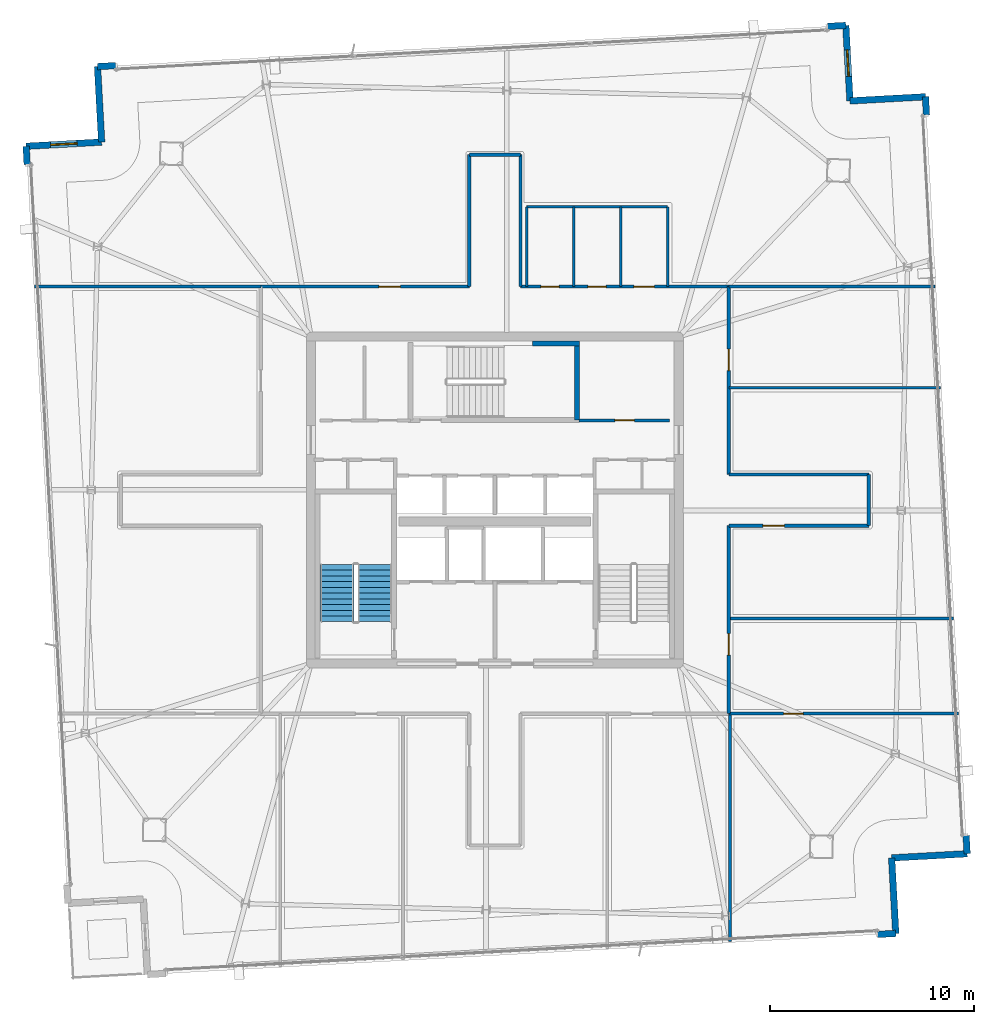
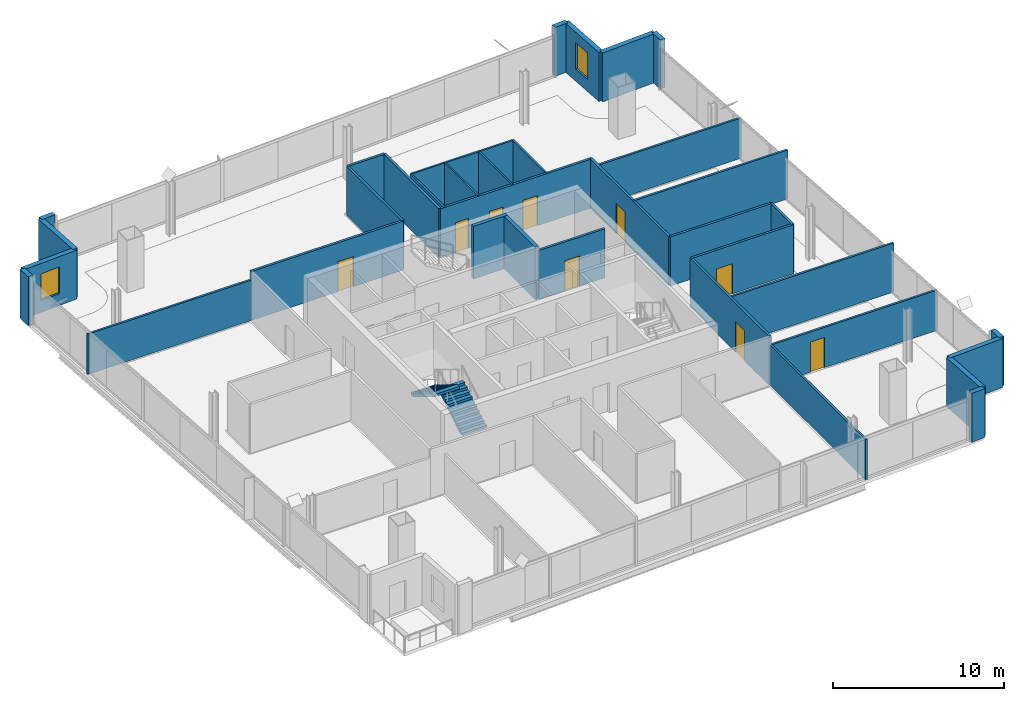
# One storey, part 19 of 23: 36 walls, 9 doors, 2 stair flights, 2 windows, 11 openings, 1 element without a shape of its own.
"""IFC4 building model written with IfcOpenShell, lengths in metres."""

from ifc_helpers import new_model, si_unit, direction, frame, frame_2d, origin, place, context, subcontext, project, spatial, polyline, rectangle, outline, extrude, material, layer, layer_set, type_object, element, fill, aggregate, save


model = new_model("IFC4")

# Units and contexts
model_context = context("Model", 3, precision=1e-05, world=origin(), true_north=direction((0.0, 1.0)))
body_context = subcontext(model_context, "Body", "Model", "MODEL_VIEW")
ifc_project = project(units=[si_unit("LENGTHUNIT", "METRE"), si_unit("AREAUNIT", "SQUARE_METRE"), si_unit("VOLUMEUNIT", "CUBIC_METRE"), si_unit("PLANEANGLEUNIT", "RADIAN"), si_unit("MASSUNIT", "GRAM", prefix="KILO")], contexts=[model_context])

# Site, building, storey
site_placement = place(None, origin())
site = spatial("IfcSite", under=ifc_project, at=site_placement, CompositionType="ELEMENT")
building_placement = place(site_placement, origin())
building = spatial("IfcBuilding", under=site, at=building_placement, Name="Haldenkirk Collegiate Tower", CompositionType="ELEMENT")
storey_placement = place(building_placement, frame((0.0, 0.0, 340.199951171875)))
storey = spatial("IfcBuildingStorey", under=building, at=storey_placement, Name="L86", CompositionType="ELEMENT", Elevation=340.199951171875)

# Walls
ifc_material_1 = material(Name="Precast concrete f'c 40 MPa", Category="concrete")
ifc_layer_1 = layer(ifc_material_1, 0.320068359375)
ifc_layer_set_1 = layer_set([ifc_layer_1], Name="Precast concrete f'c 40 MPa")
wall_type_1 = type_object("IfcWallType", Name="WL-EXT-TWR-320", PredefinedType="STANDARD", material=ifc_layer_set_1)
wall_1_placement = place(storey_placement, frame((57.072265625, 45.73779296875, 0.0), z_axis=(0.0, 0.0, 1.0), x_axis=(0.054793950548, -0.998497683013, 0.0)))
element("IfcWall", 1, at=wall_1_placement, inside=storey, type_object=wall_type_1, Name="L86 precast corner pier SL", PredefinedType="STANDARD", context=body_context, shape_type="SweptSolid", body=[
    extrude(rectangle(XDim=0.900146484375, YDim=0.320068359375, at=frame_2d((0.4501953125, 0.0))), origin(), (0.0, 0.0, 1.0), 3.489990234375),
])
wall_2_placement = place(storey_placement, frame((59.061279296875, 9.59228515625, 0.0), z_axis=(0.0, 0.0, 1.0), x_axis=(0.055079305034, -0.99848198289, 0.0)))
element("IfcWall", 2, at=wall_2_placement, inside=storey, type_object=wall_type_1, Name="L86 precast corner pier SR", PredefinedType="STANDARD", context=body_context, shape_type="SweptSolid", body=[
    extrude(rectangle(XDim=0.89990234375, YDim=0.320068359375, at=frame_2d((0.449951171875, 0.0))), origin(), (0.0, 0.0, 1.0), 3.489990234375),
])
wall_3_placement = place(storey_placement, frame((53.377685546875, 45.534423828125, 0.0), z_axis=(0.0, 0.0, 1.0), x_axis=(0.998488443508, 0.054962061286, 0.0)))
element("IfcWall", 3, at=wall_3_placement, inside=storey, type_object=wall_type_1, Name="L86 bronze precast notch wall 02", PredefinedType="STANDARD", context=body_context, shape_type="SweptSolid", body=[
    extrude(rectangle(XDim=3.7001953125, YDim=0.320068359375, at=frame_2d((1.85009765625, 0.0))), origin(), (0.0, 0.0, 1.0), 3.489990234375),
])

# Wall, opening, window
wall_4_placement = place(storey_placement, frame((53.174560546875, 49.228759765625, 0.0), z_axis=(0.0, 0.0, 1.0), x_axis=(0.054899896273, -0.998491863457, 0.0)))
wall_4 = element("IfcWall", 4, at=wall_4_placement, inside=storey, type_object=wall_type_1, Name="L86 bronze precast notch wall 03", PredefinedType="STANDARD", context=body_context, shape_type="SweptSolid", body=[
    extrude(rectangle(XDim=3.699951171875, YDim=0.320068359375, at=frame_2d((1.85009765625, 0.0))), origin(), (0.0, 0.0, 1.0), 3.489990234375),
])
opening_1_placement = place(wall_4_placement, frame((1.199951171875, 0.0, 0.85009765625)))
opening_1 = element("IfcOpeningElement", 5, at=opening_1_placement, cuts=wall_4, Name="Opening W-08", PredefinedType="OPENING", context=body_context, shape_type="SweptSolid", body=[
    extrude(rectangle(XDim=1.300048828125, YDim=1.89990234375, at=frame_2d((0.64990234375, 0.949951171875))), frame((0.0, 0.169921875, 0.0), z_axis=(0.0, -1.0, 0.0), x_axis=(1.0, 0.0, 0.0)), (0.0, 0.0, 1.0), 0.340087890625),
])
ifc_material_2 = material(Name="Low-E argon triple insulating glass", Category="glass")
ifc_layer_2 = layer(ifc_material_2, 0.090087890625)
ifc_layer_set_2 = layer_set([ifc_layer_2], Name="Low-E argon triple insulating glass")
window_type = type_object("IfcWindowType", Name="WN-Z6-1300X1900", PartitioningType="SINGLE_PANEL", PredefinedType="WINDOW", material=ifc_layer_set_2)
window_1_placement = place(opening_1_placement, origin())
window_1 = element("IfcWindow", 6, at=window_1_placement, inside=storey, type_object=window_type, Name="L86 precast-frame academic window 2", OverallHeight=1.89990234375, OverallWidth=1.300048828125, PartitioningType="SINGLE_PANEL", PredefinedType="WINDOW", context=body_context, shape_type="SweptSolid", body=[
    extrude(rectangle(XDim=1.300048828125, YDim=1.89990234375, at=frame_2d((0.64990234375, 0.949951171875))), frame((0.0, 0.030029296875, 0.0), z_axis=(0.0, -1.0, 0.0), x_axis=(1.0, 0.0, 0.0)), (0.0, 0.0, 1.0), 0.06005859375),
])
fill(opening_1, window_1)

# Walls
for number, where, z_axis, x_axis, name in (
    (7, (16.554931640625, 47.21337890625, 0.0), (0.0, 0.0, 1.0), (0.998482805688, 0.055064387274, 0.0), "L86 precast corner pier EL"),
    (8, (52.27587890625, 49.17919921875, 0.0), (0.0, 0.0, 1.0), (0.998482805688, 0.055064387274, 0.0), "L86 precast corner pier ER"),
):
    element("IfcWall", number, at=place(storey_placement, frame(where, z_axis=z_axis, x_axis=x_axis)), inside=storey, type_object=wall_type_1, Name=name, PredefinedType="STANDARD", context=body_context, shape_type="SweptSolid", body=[
        extrude(rectangle(XDim=0.900146484375, YDim=0.320068359375, at=frame_2d((0.4501953125, 0.0))), origin(), (0.0, 0.0, 1.0), 3.489990234375),
    ])
wall_5_placement = place(storey_placement, frame((16.75830078125, 43.51904296875, 0.0), z_axis=(0.0, 0.0, 1.0), x_axis=(-0.054965682487, 0.998488244172, 0.0)))
element("IfcWall", 9, at=wall_5_placement, inside=storey, type_object=wall_type_1, Name="L86 bronze precast notch wall 05", PredefinedType="STANDARD", context=body_context, shape_type="SweptSolid", body=[
    extrude(rectangle(XDim=3.699951171875, YDim=0.320068359375, at=frame_2d((1.85009765625, 0.0))), origin(), (0.0, 0.0, 1.0), 3.489990234375),
])

# Wall, opening, window
wall_6_placement = place(storey_placement, frame((13.063720703125, 43.31591796875, 0.0), z_axis=(0.0, 0.0, 1.0), x_axis=(0.998492062317, 0.054896279379, 0.0)))
wall_6 = element("IfcWall", 10, at=wall_6_placement, inside=storey, type_object=wall_type_1, Name="L86 bronze precast notch wall 06", PredefinedType="STANDARD", context=body_context, shape_type="SweptSolid", body=[
    extrude(rectangle(XDim=3.7001953125, YDim=0.320068359375, at=frame_2d((1.85009765625, 0.0))), origin(), (0.0, 0.0, 1.0), 3.489990234375),
])
opening_2_placement = place(wall_6_placement, frame((1.199951171875, 0.0, 0.85009765625)))
opening_2 = element("IfcOpeningElement", 11, at=opening_2_placement, cuts=wall_6, Name="Opening W-08", PredefinedType="OPENING", context=body_context, shape_type="SweptSolid", body=[
    extrude(rectangle(XDim=1.300048828125, YDim=1.89990234375, at=frame_2d((0.64990234375, 0.949951171875))), frame((0.0, 0.169921875, 0.0), z_axis=(0.0, -1.0, 0.0), x_axis=(1.0, 0.0, 0.0)), (0.0, 0.0, 1.0), 0.340087890625),
])
window_2_placement = place(opening_2_placement, origin())
window_2 = element("IfcWindow", 12, at=window_2_placement, inside=storey, type_object=window_type, Name="L86 precast-frame academic window 5", OverallHeight=1.89990234375, OverallWidth=1.300048828125, PartitioningType="SINGLE_PANEL", PredefinedType="WINDOW", context=body_context, shape_type="SweptSolid", body=[
    extrude(rectangle(XDim=1.300048828125, YDim=1.89990234375, at=frame_2d((0.64990234375, 0.949951171875))), frame((0.0, 0.030029296875, 0.0), z_axis=(0.0, -1.0, 0.0), x_axis=(1.0, 0.0, 0.0)), (0.0, 0.0, 1.0), 0.06005859375),
])
fill(opening_2, window_2)

# Walls
for number, where, z_axis, x_axis, name in (
    (13, (13.11328125, 42.417236328125, 0.0), (0.0, 0.0, 1.0), (-0.055064387274, 0.998482805688, 0.0), "L86 precast corner pier NR"),
    (14, (55.619873046875, 4.796142578125, 0.0), (0.0, 0.0, 1.0), (-0.998482805688, -0.055064387274, 0.0), "L86 precast corner pier WL"),
):
    element("IfcWall", number, at=place(storey_placement, frame(where, z_axis=z_axis, x_axis=x_axis)), inside=storey, type_object=wall_type_1, Name=name, PredefinedType="STANDARD", context=body_context, shape_type="SweptSolid", body=[
        extrude(rectangle(XDim=0.900146484375, YDim=0.320068359375, at=frame_2d((0.4501953125, 0.0))), origin(), (0.0, 0.0, 1.0), 3.489990234375),
    ])
for number, where, z_axis, x_axis, name in (
    (15, (55.41650390625, 8.490478515625, 0.0), (0.0, 0.0, 1.0), (0.054965682487, -0.998488244172, 0.0), "L86 bronze precast notch wall 11"),
    (16, (59.11083984375, 8.69384765625, 0.0), (0.0, 0.0, 1.0), (-0.998488244172, -0.054965682487, 0.0), "L86 bronze precast notch wall 12"),
):
    element("IfcWall", number, at=place(storey_placement, frame(where, z_axis=z_axis, x_axis=x_axis)), inside=storey, type_object=wall_type_1, Name=name, PredefinedType="STANDARD", context=body_context, shape_type="SweptSolid", body=[
        extrude(rectangle(XDim=3.699951171875, YDim=0.320068359375, at=frame_2d((1.85009765625, 0.0))), origin(), (0.0, 0.0, 1.0), 3.489990234375),
    ])

# Wall, opening, door
ifc_material_3 = material(Name="Acoustic fire-rated gypsum partition", Category="concrete")
ifc_layer_3 = layer(ifc_material_3, 0.159912109375)
ifc_layer_set_3 = layer_set([ifc_layer_3], Name="Acoustic fire-rated gypsum partition")
wall_type_2 = type_object("IfcWallType", Name="WL-INT-CORR-160", PredefinedType="PARTITIONING", material=ifc_layer_set_3)
wall_7_placement = place(storey_placement, frame((40.1201171875, 29.89990234375, 0.0), z_axis=(0.0, 0.0, 1.0), x_axis=(1.0, 0.0, 0.0)))
wall_7 = element("IfcWall", 17, at=wall_7_placement, inside=storey, type_object=wall_type_2, Name="L86 interior partition IW-L86-PMS", PredefinedType="PARTITIONING", context=body_context, shape_type="SweptSolid", body=[
    extrude(rectangle(XDim=4.429931640625, YDim=0.159912109375, at=frame_2d((2.21484375, 0.0))), origin(), (0.0, 0.0, 1.0), 3.489990234375),
])
opening_3_placement = place(wall_7_placement, frame((1.7548828125, 0.0, 0.0)))
opening_3 = element("IfcOpeningElement", 18, at=opening_3_placement, cuts=wall_7, Name="Opening D-10", PredefinedType="OPENING", context=body_context, shape_type="SweptSolid", body=[
    extrude(rectangle(XDim=0.949951171875, YDim=2.14990234375, at=frame_2d((0.47509765625, 1.074951171875))), frame((0.0, 0.08984375, 0.0), z_axis=(0.0, -1.0, 0.0), x_axis=(1.0, 0.0, 0.0)), (0.0, 0.0, 1.0), 0.179931640625),
])
ifc_material_4 = material(Name="Solid-core architectural oak fire door", Category="wood")
ifc_layer_4 = layer(ifc_material_4, 0.06005859375)
ifc_layer_set_4 = layer_set([ifc_layer_4], Name="Solid-core architectural oak fire door")
door_type_1 = type_object("IfcDoorType", Name="DR-INT-FD60-950", OperationType="NOTDEFINED", PredefinedType="DOOR", material=ifc_layer_set_4)
door_1_placement = place(opening_3_placement, origin())
door_1 = element("IfcDoor", 19, at=door_1_placement, inside=storey, type_object=door_type_1, Name="L86 reference archive door", OperationType="SINGLE_SWING_LEFT", OverallHeight=2.14990234375, OverallWidth=0.949951171875, PredefinedType="DOOR", context=body_context, shape_type="SweptSolid", body=[
    extrude(rectangle(XDim=0.949951171875, YDim=2.14990234375, at=frame_2d((0.47509765625, 1.074951171875))), frame((0.0, 0.02490234375, 0.0), z_axis=(0.0, -1.0, 0.0), x_axis=(1.0, 0.0, 0.0)), (0.0, 0.0, 1.0), 0.050048828125),
])
fill(opening_3, door_1)

wall_8_placement = place(storey_placement, frame((24.5, 36.449951171875, 0.0), z_axis=(0.0, 0.0, 1.0), x_axis=(1.0, 0.0, 0.0)))
wall_8 = element("IfcWall", 20, at=wall_8_placement, inside=storey, type_object=wall_type_2, Name="L86 interior partition IW-L86-CN1", PredefinedType="PARTITIONING", context=body_context, shape_type="SweptSolid", body=[
    extrude(rectangle(XDim=10.25, YDim=0.159912109375, at=frame_2d((5.125, 0.0))), origin(), (0.0, 0.0, 1.0), 3.489990234375),
])
opening_4_placement = place(wall_8_placement, frame((5.830078125, 0.0, 0.0)))
opening_4 = element("IfcOpeningElement", 21, at=opening_4_placement, cuts=wall_8, Name="Opening D-09", PredefinedType="OPENING", context=body_context, shape_type="SweptSolid", body=[
    extrude(rectangle(XDim=1.050048828125, YDim=2.14990234375, at=frame_2d((0.52490234375, 1.074951171875))), frame((0.0, 0.08984375, 0.0), z_axis=(0.0, -1.0, 0.0), x_axis=(1.0, 0.0, 0.0)), (0.0, 0.0, 1.0), 0.179931640625),
])
ifc_layer_5 = layer(ifc_material_4, 0.06005859375)
ifc_layer_set_5 = layer_set([ifc_layer_5], Name="Solid-core architectural oak fire door")
door_type_2 = type_object("IfcDoorType", Name="DR-INT-FD60-1050", OperationType="NOTDEFINED", PredefinedType="DOOR", material=ifc_layer_set_5)
door_2_placement = place(opening_4_placement, origin())
door_2 = element("IfcDoor", 22, at=door_2_placement, inside=storey, type_object=door_type_2, Name="L86 Scholar Lounge 6 door", OperationType="SINGLE_SWING_RIGHT", OverallHeight=2.14990234375, OverallWidth=1.050048828125, PredefinedType="DOOR", context=body_context, shape_type="SweptSolid", body=[
    extrude(rectangle(XDim=1.050048828125, YDim=2.14990234375, at=frame_2d((0.52490234375, 1.074951171875))), frame((0.0, 0.02490234375, 0.0), z_axis=(0.0, -1.0, 0.0), x_axis=(1.0, 0.0, 0.0)), (0.0, 0.0, 1.0), 0.050048828125),
])
fill(opening_4, door_2)

# Wall, openings, doors
wall_9_placement = place(storey_placement, frame((37.25, 36.449951171875, 0.0), z_axis=(0.0, 0.0, 1.0), x_axis=(1.0, 0.0, 0.0)))
wall_9 = element("IfcWall", 23, at=wall_9_placement, inside=storey, type_object=wall_type_2, Name="L86 interior partition IW-L86-CN2", PredefinedType="PARTITIONING", context=body_context, shape_type="SweptSolid", body=[
    extrude(rectangle(XDim=10.25, YDim=0.159912109375, at=frame_2d((5.125, 0.0))), origin(), (0.0, 0.0, 1.0), 3.489990234375),
])
opening_5_placement = place(wall_9_placement, frame((1.0, 0.0, 0.0)))
opening_5 = element("IfcOpeningElement", 24, at=opening_5_placement, cuts=wall_9, Name="Opening D-13", PredefinedType="OPENING", context=body_context, shape_type="SweptSolid", body=[
    extrude(rectangle(XDim=0.89990234375, YDim=2.14990234375, at=frame_2d((0.449951171875, 1.074951171875))), frame((0.0, 0.08984375, 0.0), z_axis=(0.0, -1.0, 0.0), x_axis=(1.0, 0.0, 0.0)), (0.0, 0.0, 1.0), 0.179931640625),
])
opening_6_placement = place(wall_9_placement, frame((3.300048828125, 0.0, 0.0)))
opening_6 = element("IfcOpeningElement", 25, at=opening_6_placement, cuts=wall_9, Name="Opening D-13", PredefinedType="OPENING", context=body_context, shape_type="SweptSolid", body=[
    extrude(rectangle(XDim=0.89990234375, YDim=2.14990234375, at=frame_2d((0.449951171875, 1.074951171875))), frame((0.0, 0.08984375, 0.0), z_axis=(0.0, -1.0, 0.0), x_axis=(1.0, 0.0, 0.0)), (0.0, 0.0, 1.0), 0.179931640625),
])
opening_7_placement = place(wall_9_placement, frame((5.550048828125, 0.0, 0.0)))
opening_7 = element("IfcOpeningElement", 26, at=opening_7_placement, cuts=wall_9, Name="Opening D-14", PredefinedType="OPENING", context=body_context, shape_type="SweptSolid", body=[
    extrude(rectangle(XDim=1.0, YDim=2.14990234375, at=frame_2d((0.5, 1.074951171875))), frame((0.0, 0.08984375, 0.0), z_axis=(0.0, -1.0, 0.0), x_axis=(1.0, 0.0, 0.0)), (0.0, 0.0, 1.0), 0.179931640625),
])
ifc_layer_6 = layer(ifc_material_4, 0.06005859375)
ifc_layer_set_6 = layer_set([ifc_layer_6], Name="Solid-core architectural oak fire door")
door_type_3 = type_object("IfcDoorType", Name="DR-INT-ACC-1000", OperationType="NOTDEFINED", PredefinedType="DOOR", material=ifc_layer_set_6)
door_3_placement = place(opening_7_placement, origin())
door_3 = element("IfcDoor", 27, at=door_3_placement, inside=storey, type_object=door_type_3, Name="L86 Accessible WC door", OperationType="SINGLE_SWING_RIGHT", OverallHeight=2.14990234375, OverallWidth=1.0, PredefinedType="DOOR", context=body_context, shape_type="SweptSolid", body=[
    extrude(rectangle(XDim=1.0, YDim=2.14990234375, at=frame_2d((0.5, 1.074951171875))), frame((0.0, 0.02490234375, 0.0), z_axis=(0.0, -1.0, 0.0), x_axis=(1.0, 0.0, 0.0)), (0.0, 0.0, 1.0), 0.050048828125),
])
fill(opening_7, door_3)
ifc_layer_7 = layer(ifc_material_4, 0.06005859375)
ifc_layer_set_7 = layer_set([ifc_layer_7], Name="Solid-core architectural oak fire door")
door_type_4 = type_object("IfcDoorType", Name="DR-INT-STD-900", OperationType="NOTDEFINED", PredefinedType="DOOR", material=ifc_layer_set_7)
door_4_placement = place(opening_5_placement, origin())
door_4 = element("IfcDoor", 28, at=door_4_placement, inside=storey, type_object=door_type_4, Name="L86 Male WC door", OperationType="SINGLE_SWING_RIGHT", OverallHeight=2.14990234375, OverallWidth=0.89990234375, PredefinedType="DOOR", context=body_context, shape_type="SweptSolid", body=[
    extrude(rectangle(XDim=0.89990234375, YDim=2.14990234375, at=frame_2d((0.449951171875, 1.074951171875))), frame((0.0, 0.02490234375, 0.0), z_axis=(0.0, -1.0, 0.0), x_axis=(1.0, 0.0, 0.0)), (0.0, 0.0, 1.0), 0.050048828125),
])
fill(opening_5, door_4)
door_5_placement = place(opening_6_placement, origin())
door_5 = element("IfcDoor", 29, at=door_5_placement, inside=storey, type_object=door_type_4, Name="L86 Female WC door", OperationType="SINGLE_SWING_LEFT", OverallHeight=2.14990234375, OverallWidth=0.89990234375, PredefinedType="DOOR", context=body_context, shape_type="SweptSolid", body=[
    extrude(rectangle(XDim=0.89990234375, YDim=2.14990234375, at=frame_2d((0.449951171875, 1.074951171875))), frame((0.0, 0.02490234375, 0.0), z_axis=(0.0, -1.0, 0.0), x_axis=(1.0, 0.0, 0.0)), (0.0, 0.0, 1.0), 0.050048828125),
])
fill(opening_6, door_5)

# Wall, opening, door
wall_10_placement = place(storey_placement, frame((47.449951171875, 15.550048828125, 0.0), z_axis=(0.0, 0.0, 1.0), x_axis=(0.0, 1.0, 0.0)))
wall_10 = element("IfcWall", 30, at=wall_10_placement, inside=storey, type_object=wall_type_2, Name="L86 interior partition IW-L86-CE1", PredefinedType="PARTITIONING", context=body_context, shape_type="SweptSolid", body=[
    extrude(rectangle(XDim=9.199951171875, YDim=0.159912109375, at=frame_2d((4.60009765625, 0.0))), origin(), (0.0, 0.0, 1.0), 3.489990234375),
])
opening_8_placement = place(wall_10_placement, frame((2.863037109375, 0.0, 0.0)))
opening_8 = element("IfcOpeningElement", 31, at=opening_8_placement, cuts=wall_10, Name="Opening D-09", PredefinedType="OPENING", context=body_context, shape_type="SweptSolid", body=[
    extrude(rectangle(XDim=1.050048828125, YDim=2.14990234375, at=frame_2d((0.52490234375, 1.074951171875))), frame((0.0, 0.08984375, 0.0), z_axis=(0.0, -1.0, 0.0), x_axis=(1.0, 0.0, 0.0)), (0.0, 0.0, 1.0), 0.179931640625),
])
door_6_placement = place(opening_8_placement, origin())
door_6 = element("IfcDoor", 32, at=door_6_placement, inside=storey, type_object=door_type_2, Name="L86 Student Reading Lounge 8 door", OperationType="SINGLE_SWING_RIGHT", OverallHeight=2.14990234375, OverallWidth=1.050048828125, PredefinedType="DOOR", context=body_context, shape_type="SweptSolid", body=[
    extrude(rectangle(XDim=1.050048828125, YDim=2.14990234375, at=frame_2d((0.52490234375, 1.074951171875))), frame((0.0, 0.02490234375, 0.0), z_axis=(0.0, -1.0, 0.0), x_axis=(1.0, 0.0, 0.0)), (0.0, 0.0, 1.0), 0.050048828125),
])
fill(opening_8, door_6)

wall_11_placement = place(storey_placement, frame((47.449951171875, 27.25, 0.0), z_axis=(0.0, 0.0, 1.0), x_axis=(0.0, 1.0, 0.0)))
wall_11 = element("IfcWall", 33, at=wall_11_placement, inside=storey, type_object=wall_type_2, Name="L86 interior partition IW-L86-CE2", PredefinedType="PARTITIONING", context=body_context, shape_type="SweptSolid", body=[
    extrude(rectangle(XDim=9.199951171875, YDim=0.159912109375, at=frame_2d((4.60009765625, 0.0))), origin(), (0.0, 0.0, 1.0), 3.489990234375),
])
opening_9_placement = place(wall_11_placement, frame((5.0830078125, 0.0, 0.0)))
opening_9 = element("IfcOpeningElement", 34, at=opening_9_placement, cuts=wall_11, Name="Opening D-09", PredefinedType="OPENING", context=body_context, shape_type="SweptSolid", body=[
    extrude(rectangle(XDim=1.050048828125, YDim=2.14990234375, at=frame_2d((0.52490234375, 1.074951171875))), frame((0.0, 0.08984375, 0.0), z_axis=(0.0, -1.0, 0.0), x_axis=(1.0, 0.0, 0.0)), (0.0, 0.0, 1.0), 0.179931640625),
])
door_7_placement = place(opening_9_placement, origin())
door_7 = element("IfcDoor", 35, at=door_7_placement, inside=storey, type_object=door_type_2, Name="L86 Faculty Club Lounge 10 door", OperationType="SINGLE_SWING_RIGHT", OverallHeight=2.14990234375, OverallWidth=1.050048828125, PredefinedType="DOOR", context=body_context, shape_type="SweptSolid", body=[
    extrude(rectangle(XDim=1.050048828125, YDim=2.14990234375, at=frame_2d((0.52490234375, 1.074951171875))), frame((0.0, 0.02490234375, 0.0), z_axis=(0.0, -1.0, 0.0), x_axis=(1.0, 0.0, 0.0)), (0.0, 0.0, 1.0), 0.050048828125),
])
fill(opening_9, door_7)

# Walls
for number, where, z_axis, x_axis, name in (
    (36, (34.75, 36.449951171875, 0.0), (0.0, 0.0, 1.0), (0.0, 1.0, 0.0), "L86 interior partition IW-L86-NPW"),
    (37, (37.25, 36.449951171875, 0.0), (0.0, 0.0, 1.0), (0.0, 1.0, 0.0), "L86 interior partition IW-L86-NPE"),
):
    element("IfcWall", number, at=place(storey_placement, frame(where, z_axis=z_axis, x_axis=x_axis)), inside=storey, type_object=wall_type_2, Name=name, PredefinedType="PARTITIONING", context=body_context, shape_type="SweptSolid", body=[
        extrude(rectangle(XDim=6.449951171875, YDim=0.159912109375, at=frame_2d((3.22509765625, 0.0))), origin(), (0.0, 0.0, 1.0), 3.489990234375),
    ])
wall_12_placement = place(storey_placement, frame((34.75, 42.89990234375, 0.0), z_axis=(0.0, 0.0, 1.0), x_axis=(1.0, 0.0, 0.0)))
element("IfcWall", 38, at=wall_12_placement, inside=storey, type_object=wall_type_2, Name="L86 interior partition IW-L86-NPN", PredefinedType="PARTITIONING", context=body_context, shape_type="SweptSolid", body=[
    extrude(rectangle(XDim=2.5, YDim=0.159912109375, at=frame_2d((1.25, 0.0))), origin(), (0.0, 0.0, 1.0), 3.489990234375),
])

# Wall, opening, door
wall_13_placement = place(storey_placement, frame((47.449951171875, 24.75, 0.0), z_axis=(0.0, 0.0, 1.0), x_axis=(1.0, 0.0, 0.0)))
wall_13 = element("IfcWall", 39, at=wall_13_placement, inside=storey, type_object=wall_type_2, Name="L86 interior partition IW-L86-EPS", PredefinedType="PARTITIONING", context=body_context, shape_type="SweptSolid", body=[
    extrude(rectangle(XDim=6.85009765625, YDim=0.159912109375, at=frame_2d((3.425048828125, 0.0))), origin(), (0.0, 0.0, 1.0), 3.489990234375),
])
opening_10_placement = place(wall_13_placement, frame((1.6669921875, 0.0, 0.0)))
opening_10 = element("IfcOpeningElement", 40, at=opening_10_placement, cuts=wall_13, Name="Opening D-09", PredefinedType="OPENING", context=body_context, shape_type="SweptSolid", body=[
    extrude(rectangle(XDim=1.050048828125, YDim=2.14990234375, at=frame_2d((0.52490234375, 1.074951171875))), frame((0.0, 0.08984375, 0.0), z_axis=(0.0, -1.0, 0.0), x_axis=(1.0, 0.0, 0.0)), (0.0, 0.0, 1.0), 0.179931640625),
])
door_8_placement = place(opening_10_placement, origin())
door_8 = element("IfcDoor", 41, at=door_8_placement, inside=storey, type_object=door_type_2, Name="L86 Graduate Study Lounge 9 door", OperationType="SINGLE_SWING_LEFT", OverallHeight=2.14990234375, OverallWidth=1.050048828125, PredefinedType="DOOR", context=body_context, shape_type="SweptSolid", body=[
    extrude(rectangle(XDim=1.050048828125, YDim=2.14990234375, at=frame_2d((0.52490234375, 1.074951171875))), frame((0.0, 0.02490234375, 0.0), z_axis=(0.0, -1.0, 0.0), x_axis=(1.0, 0.0, 0.0)), (0.0, 0.0, 1.0), 0.050048828125),
])
fill(opening_10, door_8)

# Walls
wall_14_placement = place(storey_placement, frame((47.449951171875, 27.25, 0.0), z_axis=(0.0, 0.0, 1.0), x_axis=(1.0, 0.0, 0.0)))
element("IfcWall", 42, at=wall_14_placement, inside=storey, type_object=wall_type_2, Name="L86 interior partition IW-L86-EPN", PredefinedType="PARTITIONING", context=body_context, shape_type="SweptSolid", body=[
    extrude(rectangle(XDim=6.85009765625, YDim=0.159912109375, at=frame_2d((3.425048828125, 0.0))), origin(), (0.0, 0.0, 1.0), 3.489990234375),
])
wall_15_placement = place(storey_placement, frame((54.300048828125, 24.75, 0.0), z_axis=(0.0, 0.0, 1.0), x_axis=(0.0, 1.0, 0.0)))
element("IfcWall", 43, at=wall_15_placement, inside=storey, type_object=wall_type_2, Name="L86 interior partition IW-L86-EPE", PredefinedType="PARTITIONING", context=body_context, shape_type="SweptSolid", body=[
    extrude(rectangle(XDim=2.5, YDim=0.159912109375, at=frame_2d((1.25, 0.0))), origin(), (0.0, 0.0, 1.0), 3.489990234375),
])
ifc_layer_8 = layer(ifc_material_3, 0.139892578125)
ifc_layer_set_8 = layer_set([ifc_layer_8], Name="Acoustic fire-rated gypsum partition")
wall_type_3 = type_object("IfcWallType", Name="WL-INT-DIV-140", PredefinedType="PARTITIONING", material=ifc_layer_set_8)
wall_16_placement = place(storey_placement, frame((13.481689453125, 36.449951171875, 0.0), z_axis=(0.0, 0.0, 1.0), x_axis=(1.0, 0.0, 0.0)))
element("IfcWall", 44, at=wall_16_placement, inside=storey, type_object=wall_type_3, Name="L86 interior partition IW-L86-BWN", PredefinedType="PARTITIONING", context=body_context, shape_type="SweptSolid", body=[
    extrude(rectangle(XDim=11.068359375, YDim=0.139892578125, at=frame_2d((5.5341796875, 0.0))), origin(), (0.0, 0.0, 1.0), 2.8681640625),
])

# Wall, opening, door
wall_17_placement = place(storey_placement, frame((47.449951171875, 15.550048828125, 0.0), z_axis=(0.0, 0.0, 1.0), x_axis=(1.0, 0.0, 0.0)))
wall_17 = element("IfcWall", 45, at=wall_17_placement, inside=storey, type_object=wall_type_3, Name="L86 interior partition IW-L86-BES", PredefinedType="PARTITIONING", context=body_context, shape_type="SweptSolid", body=[
    extrude(rectangle(XDim=11.24365234375, YDim=0.139892578125, at=frame_2d((5.621826171875, 0.0))), origin(), (0.0, 0.0, 1.0), 2.8681640625),
])
opening_11_placement = place(wall_17_placement, frame((2.68505859375, 0.0, 0.0)))
opening_11 = element("IfcOpeningElement", 46, at=opening_11_placement, cuts=wall_17, Name="Opening D-12", PredefinedType="OPENING", context=body_context, shape_type="SweptSolid", body=[
    extrude(rectangle(XDim=0.949951171875, YDim=2.14990234375, at=frame_2d((0.47509765625, 1.074951171875))), frame((0.0, 0.079833984375, 0.0), z_axis=(0.0, -1.0, 0.0), x_axis=(1.0, 0.0, 0.0)), (0.0, 0.0, 1.0), 0.159912109375),
])
ifc_layer_9 = layer(ifc_material_4, 0.06005859375)
ifc_layer_set_9 = layer_set([ifc_layer_9], Name="Solid-core architectural oak fire door")
door_type_5 = type_object("IfcDoorType", Name="DR-INT-STD-950", OperationType="NOTDEFINED", PredefinedType="DOOR", material=ifc_layer_set_9)
door_9_placement = place(opening_11_placement, origin())
door_9 = element("IfcDoor", 47, at=door_9_placement, inside=storey, type_object=door_type_5, Name="L86 Periodical Reading Lounge 5 door", OperationType="SINGLE_SWING_LEFT", OverallHeight=2.14990234375, OverallWidth=0.949951171875, PredefinedType="DOOR", context=body_context, shape_type="SweptSolid", body=[
    extrude(rectangle(XDim=0.949951171875, YDim=2.14990234375, at=frame_2d((0.47509765625, 1.074951171875))), frame((0.0, 0.02490234375, 0.0), z_axis=(0.0, -1.0, 0.0), x_axis=(1.0, 0.0, 0.0)), (0.0, 0.0, 1.0), 0.050048828125),
])
fill(opening_11, door_9)

# Walls
wall_18_placement = place(storey_placement, frame((47.449951171875, 36.449951171875, 0.0), z_axis=(0.0, 0.0, 1.0), x_axis=(1.0, 0.0, 0.0)))
element("IfcWall", 48, at=wall_18_placement, inside=storey, type_object=wall_type_3, Name="L86 interior partition IW-L86-BEN", PredefinedType="PARTITIONING", context=body_context, shape_type="SweptSolid", body=[
    extrude(rectangle(XDim=10.09326171875, YDim=0.139892578125, at=frame_2d((5.046630859375, 0.0))), origin(), (0.0, 0.0, 1.0), 2.8681640625),
])
wall_19_placement = place(storey_placement, frame((47.5, 4.389404296875, 0.0), z_axis=(0.0, 0.0, 1.0), x_axis=(0.0, 1.0, 0.0)))
element("IfcWall", 49, at=wall_19_placement, inside=storey, type_object=wall_type_3, Name="L86 interior partition IW-L86-RS4", PredefinedType="PARTITIONING", context=body_context, shape_type="SweptSolid", body=[
    extrude(rectangle(XDim=11.16064453125, YDim=0.139892578125, at=frame_2d((5.580322265625, 0.0))), origin(), (0.0, 0.0, 1.0), 2.8681640625),
])
wall_20_placement = place(storey_placement, frame((47.449951171875, 20.199951171875, 0.0), z_axis=(0.0, 0.0, 1.0), x_axis=(1.0, 0.0, 0.0)))
element("IfcWall", 50, at=wall_20_placement, inside=storey, type_object=wall_type_3, Name="L86 interior partition IW-L86-RE1", PredefinedType="PARTITIONING", context=body_context, shape_type="SweptSolid", body=[
    extrude(rectangle(XDim=10.987548828125, YDim=0.139892578125, at=frame_2d((5.49365234375, 0.0))), origin(), (0.0, 0.0, 1.0), 3.489990234375),
])
wall_21_placement = place(storey_placement, frame((47.449951171875, 31.5, 0.0), z_axis=(0.0, 0.0, 1.0), x_axis=(1.0, 0.0, 0.0)))
element("IfcWall", 51, at=wall_21_placement, inside=storey, type_object=wall_type_3, Name="L86 interior partition IW-L86-RE2", PredefinedType="PARTITIONING", context=body_context, shape_type="SweptSolid", body=[
    extrude(rectangle(XDim=10.36572265625, YDim=0.139892578125, at=frame_2d((5.182861328125, 0.0))), origin(), (0.0, 0.0, 1.0), 3.489990234375),
])
ifc_layer_10 = layer(ifc_material_3, 0.1201171875)
ifc_layer_set_10 = layer_set([ifc_layer_10], Name="Acoustic fire-rated gypsum partition")
wall_type_4 = type_object("IfcWallType", Name="WL-INT-WET-120", PredefinedType="PARTITIONING", material=ifc_layer_set_10)
for number, where, z_axis, x_axis, name in (
    (52, (37.550048828125, 36.449951171875, 0.0), (0.0, 0.0, 1.0), (0.0, 1.0, 0.0), "L86 interior partition IW-L86-WCW"),
    (53, (39.85009765625, 36.449951171875, 0.0), (0.0, 0.0, 1.0), (0.0, 1.0, 0.0), "L86 interior partition IW-L86-WC1"),
    (54, (42.14990234375, 36.449951171875, 0.0), (0.0, 0.0, 1.0), (0.0, 1.0, 0.0), "L86 interior partition IW-L86-WC2"),
    (55, (44.449951171875, 36.449951171875, 0.0), (0.0, 0.0, 1.0), (0.0, 1.0, 0.0), "L86 interior partition IW-L86-WCE"),
):
    element("IfcWall", number, at=place(storey_placement, frame(where, z_axis=z_axis, x_axis=x_axis)), inside=storey, type_object=wall_type_4, Name=name, PredefinedType="PARTITIONING", context=body_context, shape_type="SweptSolid", body=[
        extrude(rectangle(XDim=3.900146484375, YDim=0.1201171875, at=frame_2d((1.9501953125, 0.0))), origin(), (0.0, 0.0, 1.0), 3.489990234375),
    ])
wall_22_placement = place(storey_placement, frame((37.550048828125, 40.35009765625, 0.0), z_axis=(0.0, 0.0, 1.0), x_axis=(1.0, 0.0, 0.0)))
element("IfcWall", 56, at=wall_22_placement, inside=storey, type_object=wall_type_4, Name="L86 interior partition IW-L86-WCB", PredefinedType="PARTITIONING", context=body_context, shape_type="SweptSolid", body=[
    extrude(rectangle(XDim=6.89990234375, YDim=0.1201171875, at=frame_2d((3.449951171875, 0.0))), origin(), (0.0, 0.0, 1.0), 3.489990234375),
])
ifc_material_5 = material(Name="Concrete f'c 55 MPa", Category="concrete")
ifc_layer_11 = layer(ifc_material_5, 0.239990234375)
ifc_layer_set_11 = layer_set([ifc_layer_11], Name="Concrete f'c 55 MPa")
wall_type_5 = type_object("IfcWallType", Name="WL-SHAFT-240", PredefinedType="SHEAR", material=ifc_layer_set_11)
wall_23_placement = place(storey_placement, frame((40.02001953125, 29.929931640625, 0.0), z_axis=(0.0, 0.0, 1.0), x_axis=(0.0, 1.0, 0.0)))
element("IfcWall", 57, at=wall_23_placement, inside=storey, type_object=wall_type_5, Name="L86 stair shaft shear wall SW-L86-ST3E", PredefinedType="SHEAR", context=body_context, shape_type="SweptSolid", body=[
    extrude(rectangle(XDim=3.85009765625, YDim=0.239990234375, at=frame_2d((1.925048828125, 0.0))), origin(), (0.0, 0.0, 1.0), 3.75),
])
wall_24_placement = place(storey_placement, frame((37.85009765625, 33.659912109375, 0.0), z_axis=(0.0, 0.0, 1.0), x_axis=(1.0, 0.0, 0.0)))
element("IfcWall", 58, at=wall_24_placement, inside=storey, type_object=wall_type_5, Name="L86 stair shaft shear wall SW-L86-ST3N", PredefinedType="SHEAR", context=body_context, shape_type="SweptSolid", body=[
    extrude(rectangle(XDim=2.289794921875, YDim=0.239990234375, at=frame_2d((1.14501953125, 0.0))), origin(), (0.0, 0.0, 1.0), 3.75),
])

# Stair, stair flights
ifc_material_6 = material(Name="Concrete f'c 40 MPa", Category="concrete")
stair_type = type_object("IfcStairType", Name="STR-DOGLEG-1650", PredefinedType="HALF_TURN_STAIR", material=ifc_material_6)
stair_placement = place(storey_placement, origin())
stair = element("IfcStair", 59, at=stair_placement, inside=storey, type_object=stair_type, Name="L86 Core Exit Stair ST-1", PredefinedType="HALF_TURN_STAIR")
stair_flight_type = type_object("IfcStairFlightType", Name="STF-FLIGHT-1650", PredefinedType="STRAIGHT", material=ifc_material_6)
stair_flight_1_placement = place(storey_placement, frame((30.125, 20.050048828125, 0.0), z_axis=(0.0, 0.0, 1.0), x_axis=(0.0, 1.0, 0.0)))
stair_flight_1 = element("IfcStairFlight", 60, at=stair_flight_1_placement, type_object=stair_flight_type, Name="ST-1 flight 1", NumberOfRisers=11, NumberOfTreads=10, PredefinedType="STRAIGHT", RiserHeight=0.170454545, TreadLength=0.28, context=body_context, shape_type="SweptSolid", body=[
    extrude(outline(polyline([(0.0, 0.0), (0.0, 0.17041015625), (0.280029296875, 0.17041015625), (0.280029296875, 0.3408203125), (0.56005859375, 0.3408203125), (0.56005859375, 0.511474609375), (0.840087890625, 0.511474609375), (0.840087890625, 0.681884765625), (1.1201171875, 0.681884765625), (1.1201171875, 0.852294921875), (1.39990234375, 0.852294921875), (1.39990234375, 1.022705078125), (1.679931640625, 1.022705078125), (1.679931640625, 1.193115234375), (1.9599609375, 1.193115234375), (1.9599609375, 1.363525390625), (2.239990234375, 1.363525390625), (2.239990234375, 1.5341796875), (2.52001953125, 1.5341796875), (2.52001953125, 1.70458984375), (2.800048828125, 1.70458984375), (2.800048828125, 1.875), (2.800048828125, 1.529052734375), (0.288330078125, 0.0), (0.0, 0.0)])), frame((0.0, 0.824951171875, 0.0), z_axis=(0.0, -1.0, 0.0), x_axis=(1.0, 0.0, 0.0)), (0.0, 0.0, 1.0), 1.64990234375),
])
stair_flight_2_placement = place(storey_placement, frame((28.27490234375, 22.85009765625, 1.875), z_axis=(0.0, 0.0, 1.0), x_axis=(0.0, -1.0, 0.0)))
stair_flight_2 = element("IfcStairFlight", 61, at=stair_flight_2_placement, type_object=stair_flight_type, Name="ST-1 flight 2", NumberOfRisers=11, NumberOfTreads=10, PredefinedType="STRAIGHT", RiserHeight=0.170454545, TreadLength=0.28, context=body_context, shape_type="SweptSolid", body=[
    extrude(outline(polyline([(0.0, 0.0), (0.0, 0.17041015625), (0.280029296875, 0.17041015625), (0.280029296875, 0.3408203125), (0.56005859375, 0.3408203125), (0.56005859375, 0.511474609375), (0.840087890625, 0.511474609375), (0.840087890625, 0.681884765625), (1.1201171875, 0.681884765625), (1.1201171875, 0.852294921875), (1.39990234375, 0.852294921875), (1.39990234375, 1.022705078125), (1.679931640625, 1.022705078125), (1.679931640625, 1.193115234375), (1.9599609375, 1.193115234375), (1.9599609375, 1.363525390625), (2.239990234375, 1.363525390625), (2.239990234375, 1.5341796875), (2.52001953125, 1.5341796875), (2.52001953125, 1.70458984375), (2.800048828125, 1.70458984375), (2.800048828125, 1.875), (2.800048828125, 1.529052734375), (0.288330078125, 0.0), (0.0, 0.0)])), frame((0.0, 0.824951171875, 0.0), z_axis=(0.0, -1.0, 0.0), x_axis=(1.0, 0.0, 0.0)), (0.0, 0.0, 1.0), 1.64990234375),
])
aggregate(stair, [stair_flight_1, stair_flight_2])

save(model, "model.ifc")
